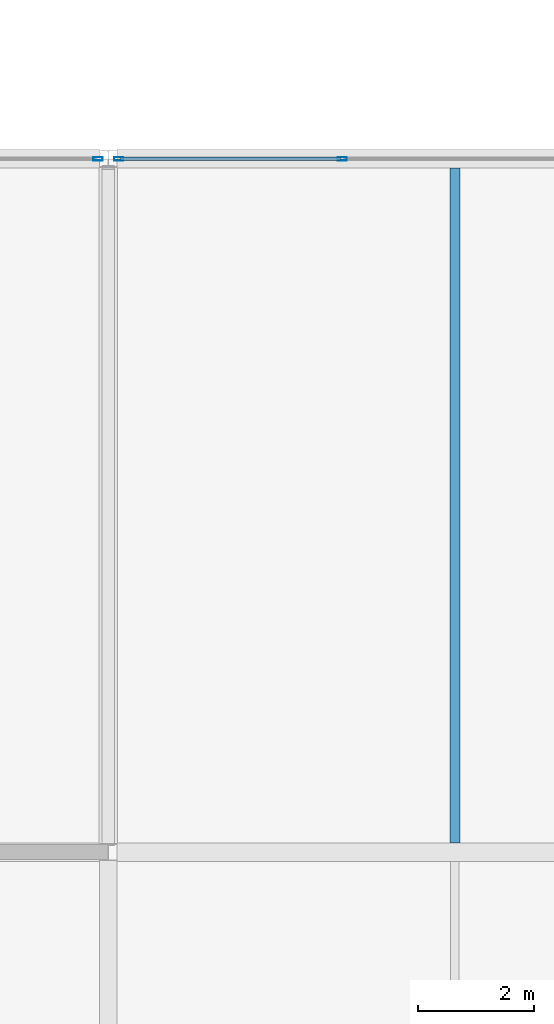
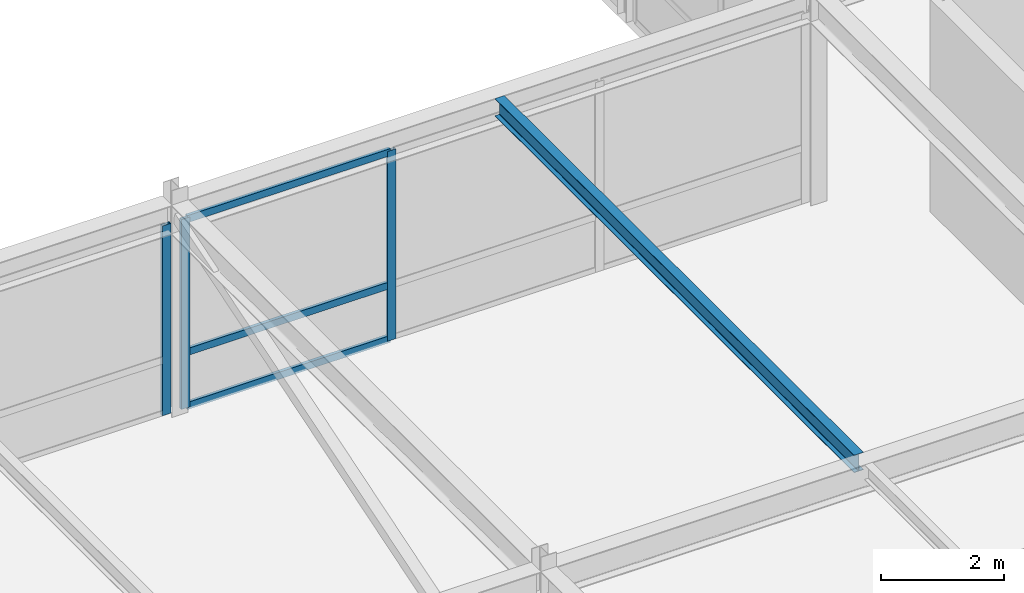
# One storey, part 34 of 108: 6 members, 1 beam, 2 elements without a shape of their own.
"""IFC4 building model written with IfcOpenShell, lengths in metres."""

from ifc_helpers import new_model, si_unit, direction, frame, origin, origin_2d, place, context, subcontext, project, spatial, hollow_rectangle, i_section, extrude, material, layer, layer_set, material_profile, profile_set, type_object, element, aggregate, save


model = new_model("IFC4")

# Units and contexts
model_context = context("Model", 3, precision=1e-05, world=origin(), true_north=direction((0.0, 1.0)))
body_context = subcontext(model_context, "Body", "Model", "MODEL_VIEW")
ifc_project = project(units=[si_unit("LENGTHUNIT", "METRE"), si_unit("AREAUNIT", "SQUARE_METRE"), si_unit("VOLUMEUNIT", "CUBIC_METRE"), si_unit("PLANEANGLEUNIT", "RADIAN"), si_unit("MASSUNIT", "GRAM", prefix="KILO")], contexts=[model_context])

# Site, building, storey
site_placement = place(None, origin())
site = spatial("IfcSite", under=ifc_project, at=site_placement, CompositionType="ELEMENT")
building_placement = place(site_placement, origin())
building = spatial("IfcBuilding", under=site, at=building_placement, Name="Zlatovratsky Civic Hall", CompositionType="ELEMENT")
storey_placement = place(building_placement, frame((0.0, 0.0, 12.0)))
storey = spatial("IfcBuildingStorey", under=building, at=storey_placement, Name="L03", CompositionType="ELEMENT", Elevation=12.0)

# Curtain wall, member
ifc_material_1 = material(Name="Anodised bronze aluminium", Category="aluminium")
ifc_layer = layer(ifc_material_1, 0.159912109375)
ifc_layer_set = layer_set([ifc_layer], Name="Anodised bronze aluminium")
curtain_wall_type = type_object("IfcCurtainWallType", Name="CurtainWall_Bronze_11700x3770_11", PredefinedType="NOTDEFINED", material=ifc_layer_set)
curtain_wall_1_placement = place(storey_placement, origin())
curtain_wall_1 = element("IfcCurtainWall", 1, at=curtain_wall_1_placement, inside=storey, type_object=curtain_wall_type, Name="CW-052", PredefinedType="NOTDEFINED")
ifc_material_profile_1 = material_profile(ifc_material_1, hollow_rectangle(XDim=0.06005859375, YDim=0.159912109375, WallThickness=0.00390625, at=origin_2d()), Name="ALU 60x160x4")
ifc_profile_set_1 = profile_set([ifc_material_profile_1], Name="Anodised bronze aluminium")
member_type_1 = type_object("IfcMemberType", Name="CW_Mullion_60x160", PredefinedType="MULLION", material=ifc_profile_set_1)
member_1_placement = place(storey_placement, frame((35.820556640625, 30.0, 0.0), z_axis=(0.0, 0.0, 1.0), x_axis=(0.0, 1.0, 0.0)))
member_1 = element("IfcMember", 2, at=member_1_placement, type_object=member_type_1, Name="CW-11 mullion 4", PredefinedType="MULLION", context=body_context, shape_type="SweptSolid", body=[
    extrude(hollow_rectangle(XDim=0.06005859375, YDim=0.159912109375, WallThickness=0.00390625, at=origin_2d()), origin(), (0.0, 0.0, 1.0), 3.77001953125),
])
aggregate(curtain_wall_1, [member_1])

# Curtain wall, members
curtain_wall_2_placement = place(storey_placement, origin())
curtain_wall_2 = element("IfcCurtainWall", 3, at=curtain_wall_2_placement, inside=storey, type_object=curtain_wall_type, Name="CW-053", PredefinedType="NOTDEFINED")
member_2_placement = place(storey_placement, frame((36.179443359375, 30.0, 0.0), z_axis=(0.0, 0.0, 1.0), x_axis=(0.0, 1.0, 0.0)))
member_2 = element("IfcMember", 4, at=member_2_placement, type_object=member_type_1, Name="CW-11 mullion 1", PredefinedType="MULLION", context=body_context, shape_type="SweptSolid", body=[
    extrude(hollow_rectangle(XDim=0.06005859375, YDim=0.159912109375, WallThickness=0.00390625, at=origin_2d()), origin(), (0.0, 0.0, 1.0), 3.77001953125),
])
member_3_placement = place(storey_placement, frame((40.0498046875, 30.0, 0.0), z_axis=(0.0, 0.0, 1.0), x_axis=(0.0, 1.0, 0.0)))
member_3 = element("IfcMember", 5, at=member_3_placement, type_object=member_type_1, Name="CW-11 mullion 2", PredefinedType="MULLION", context=body_context, shape_type="SweptSolid", body=[
    extrude(hollow_rectangle(XDim=0.06005859375, YDim=0.159912109375, WallThickness=0.00390625, at=origin_2d()), origin(), (0.0, 0.0, 1.0), 3.77001953125),
])
ifc_material_profile_2 = material_profile(ifc_material_1, hollow_rectangle(XDim=0.06005859375, YDim=0.139892578125, WallThickness=0.00390625, at=origin_2d()), Name="ALU 60x140x4")
ifc_profile_set_2 = profile_set([ifc_material_profile_2], Name="Anodised bronze aluminium")
member_type_2 = type_object("IfcMemberType", Name="CW_Transom_60x140", PredefinedType="USERDEFINED", material=ifc_profile_set_2)
member_4_placement = place(storey_placement, frame((36.20947265625, 30.0, 0.030029296875), z_axis=(1.0, 0.0, 0.0), x_axis=(0.0, 1.0, 0.0)))
member_4 = element("IfcMember", 6, at=member_4_placement, type_object=member_type_2, Name="CW-11 transom 1.1", ObjectType="TRANSOM", PredefinedType="USERDEFINED", context=body_context, shape_type="SweptSolid", body=[
    extrude(hollow_rectangle(XDim=0.06005859375, YDim=0.139892578125, WallThickness=0.00390625, at=origin_2d()), origin(), (0.0, 0.0, 1.0), 3.810302734375),
])
member_5_placement = place(storey_placement, frame((36.20947265625, 30.0, 1.10009765625), z_axis=(1.0, 0.0, 0.0), x_axis=(0.0, 1.0, 0.0)))
member_5 = element("IfcMember", 7, at=member_5_placement, type_object=member_type_2, Name="CW-11 transom 1.2", ObjectType="TRANSOM", PredefinedType="USERDEFINED", context=body_context, shape_type="SweptSolid", body=[
    extrude(hollow_rectangle(XDim=0.06005859375, YDim=0.139892578125, WallThickness=0.00390625, at=origin_2d()), origin(), (0.0, 0.0, 1.0), 3.810302734375),
])
member_6_placement = place(storey_placement, frame((36.20947265625, 30.0, 3.739990234375), z_axis=(1.0, 0.0, 0.0), x_axis=(0.0, 1.0, 0.0)))
member_6 = element("IfcMember", 8, at=member_6_placement, type_object=member_type_2, Name="CW-11 transom 1.3", ObjectType="TRANSOM", PredefinedType="USERDEFINED", context=body_context, shape_type="SweptSolid", body=[
    extrude(hollow_rectangle(XDim=0.06005859375, YDim=0.139892578125, WallThickness=0.00390625, at=origin_2d()), origin(), (0.0, 0.0, 1.0), 3.810302734375),
])
aggregate(curtain_wall_2, [member_2, member_3, member_4, member_5, member_6])

# Beam
ifc_material_2 = material(Name="Steel S355", Category="steel")
ifc_material_profile_3 = material_profile(ifc_material_2, i_section(OverallWidth=0.175048828125, OverallDepth=0.35009765625, WebThickness=0.007080078125, FlangeThickness=0.010986328125, FilletRadius=0.013916015625, at=origin_2d()), Name="35B2")
ifc_profile_set_3 = profile_set([ifc_material_profile_3], Name="Steel S355")
beam_type = type_object("IfcBeamType", Name="Joist_Heavy_35B2", PredefinedType="JOIST", material=ifc_profile_set_3)
beam_placement = place(storey_placement, frame((42.0, 18.159912109375, 4.044921875), z_axis=(0.0, 1.0, 0.0), x_axis=(-1.0, 0.0, 0.0)))
element("IfcBeam", 9, at=beam_placement, inside=storey, type_object=beam_type, Name="BM-3134", PredefinedType="JOIST", context=body_context, shape_type="SweptSolid", body=[
    extrude(i_section(OverallWidth=0.175048828125, OverallDepth=0.35009765625, WebThickness=0.007080078125, FlangeThickness=0.010986328125, FilletRadius=0.013916015625, at=origin_2d()), origin(), (0.0, 0.0, 1.0), 11.68017578125),
])

save(model, "model.ifc")
